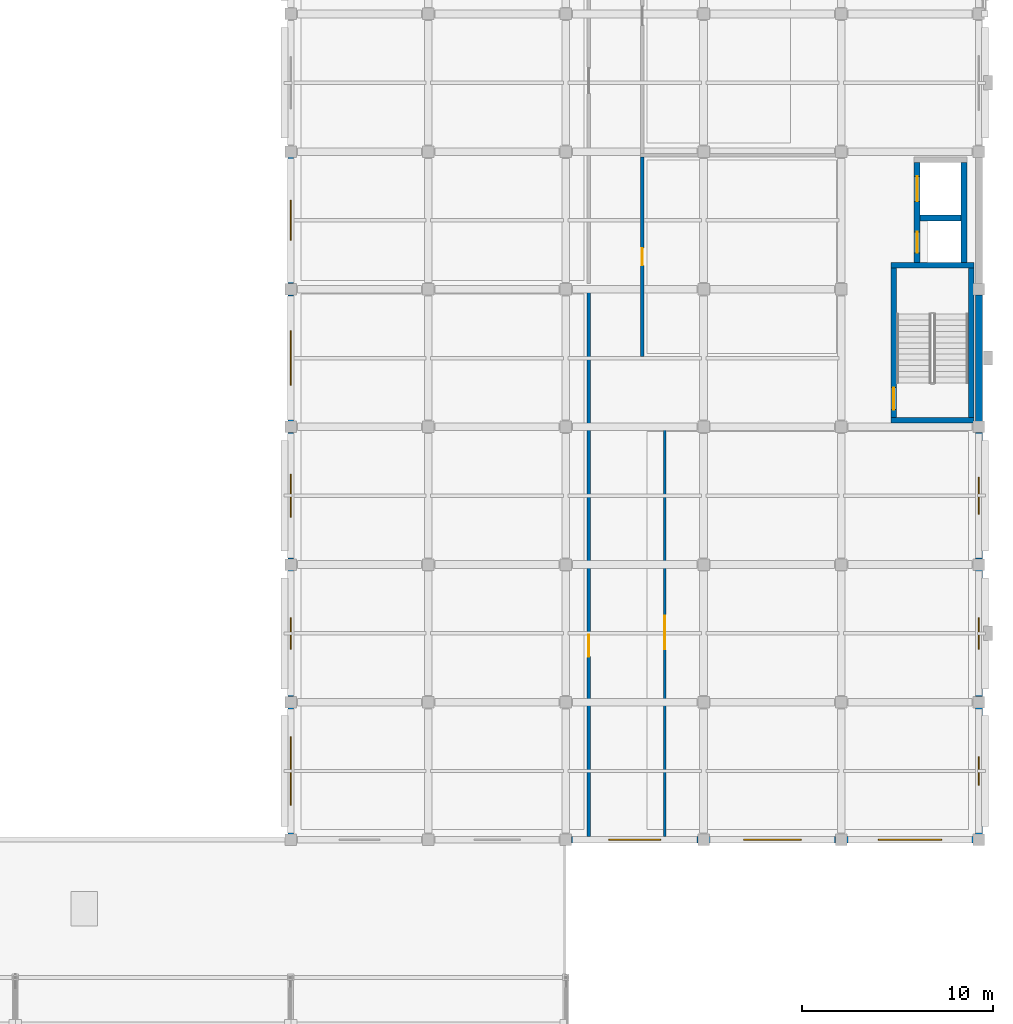
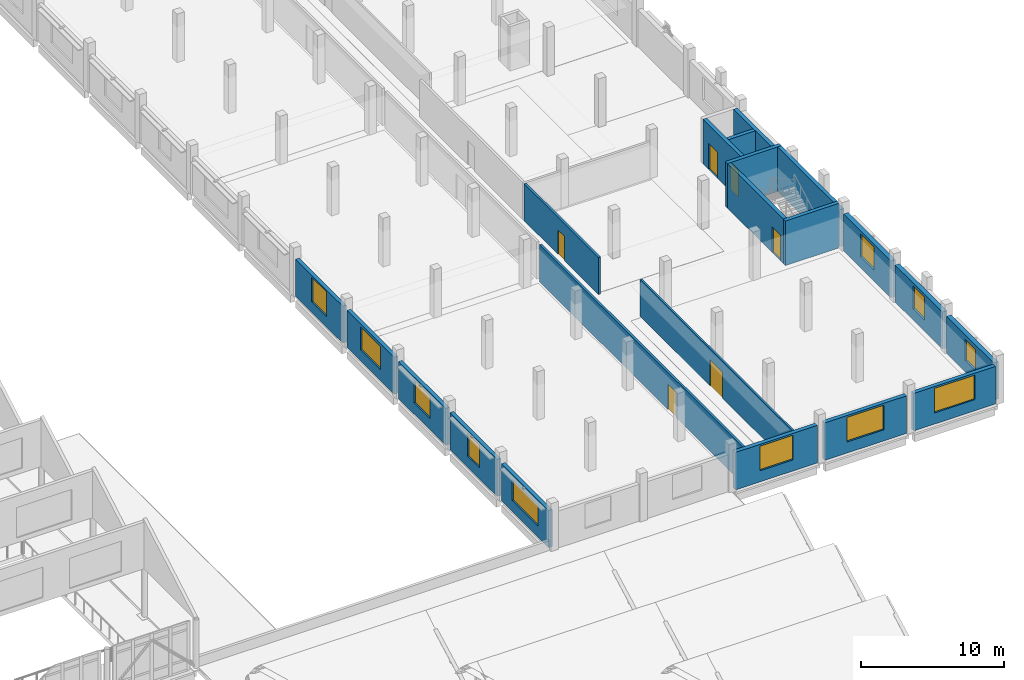
# One storey, part 47 of 62: 22 walls, 11 windows, 6 doors, 17 openings.
"""IFC4 building model written with IfcOpenShell, lengths in metres."""

from ifc_helpers import new_model, si_unit, direction, frame, frame_2d, origin, place, context, subcontext, project, spatial, rectangle, extrude, material, layer, layer_set, type_object, element, fill, save


model = new_model("IFC4")

# Units and contexts
model_context = context("Model", 3, precision=1e-05, world=origin(), true_north=direction((0.0, 1.0)))
body_context = subcontext(model_context, "Body", "Model", "MODEL_VIEW")
ifc_project = project(units=[si_unit("LENGTHUNIT", "METRE"), si_unit("AREAUNIT", "SQUARE_METRE"), si_unit("VOLUMEUNIT", "CUBIC_METRE"), si_unit("PLANEANGLEUNIT", "RADIAN"), si_unit("MASSUNIT", "GRAM", prefix="KILO")], contexts=[model_context])

# Site, building, storey
site_placement = place(None, origin())
site = spatial("IfcSite", under=ifc_project, at=site_placement, CompositionType="ELEMENT")
building_placement = place(site_placement, origin())
building = spatial("IfcBuilding", under=site, at=building_placement, Name="Valkovuoma Quantum and Materials Research Institute", CompositionType="ELEMENT")
storey_placement = place(building_placement, frame((0.0, 0.0, 13.1201171875)))
storey = spatial("IfcBuildingStorey", under=building, at=storey_placement, Name="L03", CompositionType="ELEMENT", Elevation=13.1201171875)

# Walls
ifc_material_1 = material(Name="Concrete C40/50", Category="concrete")
ifc_layer_1 = layer(ifc_material_1, 0.300048828125)
ifc_layer_set_1 = layer_set([ifc_layer_1], Name="Concrete C40/50")
wall_type_1 = type_object("IfcWallType", Name="Wall-W-COR300", PredefinedType="SHEAR", material=ifc_layer_set_1)
for number, where, z_axis, x_axis, name in (
    (1, (161.0, 57.949951171875, 0.0), (0.0, 0.0, 1.0), (1.0, 0.0, 0.0), "L03 core wall 0231"),
    (2, (161.0, 66.050048828125, 0.0), (0.0, 0.0, 1.0), (1.0, 0.0, 0.0), "L03 core wall 0232"),
):
    element("IfcWall", number, at=place(storey_placement, frame(where, z_axis=z_axis, x_axis=x_axis)), inside=storey, type_object=wall_type_1, Name=name, PredefinedType="SHEAR", context=body_context, shape_type="SweptSolid", body=[
        extrude(rectangle(XDim=4.35009765625, YDim=0.300048828125, at=frame_2d((2.175048828125, 0.0))), origin(), (0.0, 0.0, 1.0), 3.809814453125),
    ])

# Wall, opening, door
wall_1_placement = place(storey_placement, frame((161.14990234375, 58.10009765625, 0.0), z_axis=(0.0, 0.0, 1.0), x_axis=(0.0, 1.0, 0.0)))
wall_1 = element("IfcWall", 3, at=wall_1_placement, inside=storey, type_object=wall_type_1, Name="L03 core wall 0233", PredefinedType="SHEAR", context=body_context, shape_type="SweptSolid", body=[
    extrude(rectangle(XDim=7.7998046875, YDim=0.300048828125, at=frame_2d((3.89990234375, 0.0))), origin(), (0.0, 0.0, 1.0), 3.809814453125),
])
opening_1_placement = place(wall_1_placement, frame((0.39990234375, 0.0, 0.0)))
opening_1 = element("IfcOpeningElement", 4, at=opening_1_placement, cuts=wall_1, Name="Opening SD-038", PredefinedType="OPENING", context=body_context, shape_type="SweptSolid", body=[
    extrude(rectangle(XDim=1.14990234375, YDim=2.199951171875, at=frame_2d((0.574951171875, 1.10009765625))), frame((0.0, 0.16015625, 0.0), z_axis=(0.0, -1.0, 0.0), x_axis=(1.0, 0.0, 0.0)), (0.0, 0.0, 1.0), 0.320068359375),
])
ifc_material_2 = material(Name="Powder-coated steel and acoustic timber door assembly", Category="steel")
door_type_1 = type_object("IfcDoorType", Name="Door-DR-ST60", OperationType="NOTDEFINED", PredefinedType="DOOR", material=ifc_material_2)
door_1_placement = place(opening_1_placement, frame((1.14990234375, 0.0, 0.0), z_axis=(0.0, 0.0, 1.0), x_axis=(-1.0, 0.0, 0.0)))
door_1 = element("IfcDoor", 5, at=door_1_placement, inside=storey, type_object=door_type_1, Name="L03 ST-3 fire door", OperationType="SINGLE_SWING_LEFT", OverallHeight=2.199951171875, OverallWidth=1.14990234375, PredefinedType="DOOR", context=body_context, shape_type="SweptSolid", body=[
    extrude(rectangle(XDim=1.14990234375, YDim=2.199951171875, at=frame_2d((0.574951171875, 1.10009765625))), frame((0.0, 0.02490234375, 0.0), z_axis=(0.0, -1.0, 0.0), x_axis=(1.0, 0.0, 0.0)), (0.0, 0.0, 1.0), 0.050048828125),
])
fill(opening_1, door_1)

# Walls
wall_2_placement = place(storey_placement, frame((165.199951171875, 58.10009765625, 0.0), z_axis=(0.0, 0.0, 1.0), x_axis=(0.0, 1.0, 0.0)))
element("IfcWall", 6, at=wall_2_placement, inside=storey, type_object=wall_type_1, Name="L03 core wall 0234", PredefinedType="SHEAR", context=body_context, shape_type="SweptSolid", body=[
    extrude(rectangle(XDim=7.7998046875, YDim=0.300048828125, at=frame_2d((3.89990234375, 0.0))), origin(), (0.0, 0.0, 1.0), 3.809814453125),
])
wall_3_placement = place(storey_placement, frame((162.52001953125, 68.52490234375, 0.0), z_axis=(0.0, 0.0, 1.0), x_axis=(1.0, 0.0, 0.0)))
element("IfcWall", 7, at=wall_3_placement, inside=storey, type_object=wall_type_1, Name="L03 core wall 0236", PredefinedType="SHEAR", context=body_context, shape_type="SweptSolid", body=[
    extrude(rectangle(XDim=2.159912109375, YDim=0.300048828125, at=frame_2d((1.080078125, 0.0))), origin(), (0.0, 0.0, 1.0), 3.809814453125),
])

# Wall, openings, doors
wall_4_placement = place(storey_placement, frame((162.3701171875, 66.199951171875, 0.0), z_axis=(0.0, 0.0, 1.0), x_axis=(0.0, 1.0, 0.0)))
wall_4 = element("IfcWall", 8, at=wall_4_placement, inside=storey, type_object=wall_type_1, Name="L03 core wall 0237", PredefinedType="SHEAR", context=body_context, shape_type="SweptSolid", body=[
    extrude(rectangle(XDim=5.22998046875, YDim=0.300048828125, at=frame_2d((2.614990234375, 0.0))), origin(), (0.0, 0.0, 1.0), 3.809814453125),
])
opening_2_placement = place(wall_4_placement, frame((0.5, 0.0, 0.0)))
opening_2 = element("IfcOpeningElement", 9, at=opening_2_placement, cuts=wall_4, Name="Opening LD-042", PredefinedType="OPENING", context=body_context, shape_type="SweptSolid", body=[
    extrude(rectangle(XDim=1.10009765625, YDim=2.199951171875, at=frame_2d((0.550048828125, 1.10009765625))), frame((0.0, 0.16015625, 0.0), z_axis=(0.0, -1.0, 0.0), x_axis=(1.0, 0.0, 0.0)), (0.0, 0.0, 1.0), 0.320068359375),
])
opening_3_placement = place(wall_4_placement, frame((3.199951171875, 0.0, 0.0)))
opening_3 = element("IfcOpeningElement", 10, at=opening_3_placement, cuts=wall_4, Name="Opening LD-043", PredefinedType="OPENING", context=body_context, shape_type="SweptSolid", body=[
    extrude(rectangle(XDim=1.300048828125, YDim=2.199951171875, at=frame_2d((0.64990234375, 1.10009765625))), frame((0.0, 0.16015625, 0.0), z_axis=(0.0, -1.0, 0.0), x_axis=(1.0, 0.0, 0.0)), (0.0, 0.0, 1.0), 0.320068359375),
])
ifc_material_3 = material(Name="Powder-coated steel and acoustic timber door assembly", Category="steel")
door_type_2 = type_object("IfcDoorType", Name="Door-DR-LD01", OperationType="NOTDEFINED", PredefinedType="DOOR", material=ifc_material_3)
door_2_placement = place(opening_2_placement, origin())
door_2 = element("IfcDoor", 11, at=door_2_placement, inside=storey, type_object=door_type_2, Name="L03 LIFT-P3 sliding landing door", OperationType="SLIDING_TO_LEFT", OverallHeight=2.199951171875, OverallWidth=1.10009765625, PredefinedType="DOOR", context=body_context, shape_type="SweptSolid", body=[
    extrude(rectangle(XDim=1.10009765625, YDim=2.199951171875, at=frame_2d((0.550048828125, 1.10009765625))), frame((0.0, 0.02490234375, 0.0), z_axis=(0.0, -1.0, 0.0), x_axis=(1.0, 0.0, 0.0)), (0.0, 0.0, 1.0), 0.050048828125),
])
fill(opening_2, door_2)
ifc_material_4 = material(Name="Powder-coated steel and acoustic timber door assembly", Category="steel")
door_type_3 = type_object("IfcDoorType", Name="Door-DR-LD02", OperationType="NOTDEFINED", PredefinedType="DOOR", material=ifc_material_4)
door_3_placement = place(opening_3_placement, origin())
door_3 = element("IfcDoor", 12, at=door_3_placement, inside=storey, type_object=door_type_3, Name="L03 LIFT-G1 sliding landing door", OperationType="SLIDING_TO_LEFT", OverallHeight=2.199951171875, OverallWidth=1.300048828125, PredefinedType="DOOR", context=body_context, shape_type="SweptSolid", body=[
    extrude(rectangle(XDim=1.300048828125, YDim=2.199951171875, at=frame_2d((0.64990234375, 1.10009765625))), frame((0.0, 0.02490234375, 0.0), z_axis=(0.0, -1.0, 0.0), x_axis=(1.0, 0.0, 0.0)), (0.0, 0.0, 1.0), 0.050048828125),
])
fill(opening_3, door_3)

# Wall
wall_5_placement = place(storey_placement, frame((164.830078125, 66.199951171875, 0.0), z_axis=(0.0, 0.0, 1.0), x_axis=(0.0, 1.0, 0.0)))
element("IfcWall", 13, at=wall_5_placement, inside=storey, type_object=wall_type_1, Name="L03 core wall 0238", PredefinedType="SHEAR", context=body_context, shape_type="SweptSolid", body=[
    extrude(rectangle(XDim=5.22998046875, YDim=0.300048828125, at=frame_2d((2.614990234375, 0.0))), origin(), (0.0, 0.0, 1.0), 3.809814453125),
])

# Wall, opening, window
ifc_material_5 = material(Name="Precast concrete C40/50", Category="concrete")
ifc_layer_2 = layer(ifc_material_5, 0.300048828125)
ifc_layer_set_2 = layer_set([ifc_layer_2], Name="Precast concrete C40/50")
wall_type_2 = type_object("IfcWallType", Name="Wall-W-EXT300", PredefinedType="SOLIDWALL", material=ifc_layer_set_2)
wall_6_placement = place(storey_placement, frame((129.60009765625, 36.2900390625, 0.0), z_axis=(0.0, 0.0, 1.0), x_axis=(0.0, 1.0, 0.0)))
wall_6 = element("IfcWall", 14, at=wall_6_placement, inside=storey, type_object=wall_type_2, Name="L03 exterior wall 0285", PredefinedType="SOLIDWALL", context=body_context, shape_type="SweptSolid", body=[
    extrude(rectangle(XDim=6.619873046875, YDim=0.300048828125, at=frame_2d((3.31005859375, 0.0))), origin(), (0.0, 0.0, 1.0), 3.159912109375),
])
opening_4_placement = place(wall_6_placement, frame((1.510009765625, 0.0, 0.949951171875)))
opening_4 = element("IfcOpeningElement", 15, at=opening_4_placement, cuts=wall_6, Name="Opening WN-WL14", PredefinedType="OPENING", context=body_context, shape_type="SweptSolid", body=[
    extrude(rectangle(XDim=3.60009765625, YDim=1.800048828125, at=frame_2d((1.800048828125, 0.89990234375))), frame((0.0, 0.16015625, 0.0), z_axis=(0.0, -1.0, 0.0), x_axis=(1.0, 0.0, 0.0)), (0.0, 0.0, 1.0), 0.320068359375),
])
ifc_material_6 = material(Name="Triple low-E argon glazing in thermally broken aluminium frame", Category="aluminium")
window_type_1 = type_object("IfcWindowType", Name="Win-WN-WL14", PartitioningType="SINGLE_PANEL", PredefinedType="WINDOW", material=ifc_material_6)
window_1_placement = place(opening_4_placement, origin())
window_1 = element("IfcWindow", 16, at=window_1_placement, inside=storey, type_object=window_type_1, Name="L03 window 0296", OverallHeight=1.800048828125, OverallWidth=3.60009765625, PartitioningType="SINGLE_PANEL", PredefinedType="WINDOW", context=body_context, shape_type="SweptSolid", body=[
    extrude(rectangle(XDim=3.60009765625, YDim=1.800048828125, at=frame_2d((1.800048828125, 0.89990234375))), frame((0.0, 0.030029296875, 0.0), z_axis=(0.0, -1.0, 0.0), x_axis=(1.0, 0.0, 0.0)), (0.0, 0.0, 1.0), 0.06005859375),
])
fill(opening_4, window_1)

wall_7_placement = place(storey_placement, frame((129.60009765625, 43.489990234375, 0.0), z_axis=(0.0, 0.0, 1.0), x_axis=(0.0, 1.0, 0.0)))
wall_7 = element("IfcWall", 17, at=wall_7_placement, inside=storey, type_object=wall_type_2, Name="L03 exterior wall 0286", PredefinedType="SOLIDWALL", context=body_context, shape_type="SweptSolid", body=[
    extrude(rectangle(XDim=6.6201171875, YDim=0.300048828125, at=frame_2d((3.31005859375, 0.0))), origin(), (0.0, 0.0, 1.0), 3.159912109375),
])
opening_5_placement = place(wall_7_placement, frame((2.485107421875, 0.0, 0.949951171875)))
opening_5 = element("IfcOpeningElement", 18, at=opening_5_placement, cuts=wall_7, Name="Opening WN-WL16", PredefinedType="OPENING", context=body_context, shape_type="SweptSolid", body=[
    extrude(rectangle(XDim=1.64990234375, YDim=1.949951171875, at=frame_2d((0.824951171875, 0.97509765625))), frame((0.0, 0.16015625, 0.0), z_axis=(0.0, -1.0, 0.0), x_axis=(1.0, 0.0, 0.0)), (0.0, 0.0, 1.0), 0.320068359375),
])
ifc_material_7 = material(Name="Triple low-E argon glazing in thermally broken aluminium frame", Category="aluminium")
window_type_2 = type_object("IfcWindowType", Name="Win-WN-WL16", PartitioningType="SINGLE_PANEL", PredefinedType="WINDOW", material=ifc_material_7)
window_2_placement = place(opening_5_placement, origin())
window_2 = element("IfcWindow", 19, at=window_2_placement, inside=storey, type_object=window_type_2, Name="L03 window 0297", OverallHeight=1.949951171875, OverallWidth=1.64990234375, PartitioningType="SINGLE_PANEL", PredefinedType="WINDOW", context=body_context, shape_type="SweptSolid", body=[
    extrude(rectangle(XDim=1.64990234375, YDim=1.949951171875, at=frame_2d((0.824951171875, 0.97509765625))), frame((0.0, 0.030029296875, 0.0), z_axis=(0.0, -1.0, 0.0), x_axis=(1.0, 0.0, 0.0)), (0.0, 0.0, 1.0), 0.06005859375),
])
fill(opening_5, window_2)

wall_8_placement = place(storey_placement, frame((129.60009765625, 50.68994140625, 0.0), z_axis=(0.0, 0.0, 1.0), x_axis=(0.0, 1.0, 0.0)))
wall_8 = element("IfcWall", 20, at=wall_8_placement, inside=storey, type_object=wall_type_2, Name="L03 exterior wall 0287", PredefinedType="SOLIDWALL", context=body_context, shape_type="SweptSolid", body=[
    extrude(rectangle(XDim=6.6201171875, YDim=0.300048828125, at=frame_2d((3.31005859375, 0.0))), origin(), (0.0, 0.0, 1.0), 3.159912109375),
])
opening_6_placement = place(wall_8_placement, frame((2.18505859375, 0.0, 0.949951171875)))
opening_6 = element("IfcOpeningElement", 21, at=opening_6_placement, cuts=wall_8, Name="Opening WN-WL18", PredefinedType="OPENING", context=body_context, shape_type="SweptSolid", body=[
    extrude(rectangle(XDim=2.25, YDim=1.949951171875, at=frame_2d((1.125, 0.97509765625))), frame((0.0, 0.16015625, 0.0), z_axis=(0.0, -1.0, 0.0), x_axis=(1.0, 0.0, 0.0)), (0.0, 0.0, 1.0), 0.320068359375),
])
ifc_material_8 = material(Name="Triple low-E argon glazing in thermally broken aluminium frame", Category="aluminium")
window_type_3 = type_object("IfcWindowType", Name="Win-WN-WL18", PartitioningType="SINGLE_PANEL", PredefinedType="WINDOW", material=ifc_material_8)
window_3_placement = place(opening_6_placement, origin())
window_3 = element("IfcWindow", 22, at=window_3_placement, inside=storey, type_object=window_type_3, Name="L03 window 0298", OverallHeight=1.949951171875, OverallWidth=2.25, PartitioningType="SINGLE_PANEL", PredefinedType="WINDOW", context=body_context, shape_type="SweptSolid", body=[
    extrude(rectangle(XDim=2.25, YDim=1.949951171875, at=frame_2d((1.125, 0.97509765625))), frame((0.0, 0.030029296875, 0.0), z_axis=(0.0, -1.0, 0.0), x_axis=(1.0, 0.0, 0.0)), (0.0, 0.0, 1.0), 0.06005859375),
])
fill(opening_6, window_3)

wall_9_placement = place(storey_placement, frame((129.60009765625, 57.889892578125, 0.0), z_axis=(0.0, 0.0, 1.0), x_axis=(0.0, 1.0, 0.0)))
wall_9 = element("IfcWall", 23, at=wall_9_placement, inside=storey, type_object=wall_type_2, Name="L03 exterior wall 0288", PredefinedType="SOLIDWALL", context=body_context, shape_type="SweptSolid", body=[
    extrude(rectangle(XDim=6.6201171875, YDim=0.300048828125, at=frame_2d((3.31005859375, 0.0))), origin(), (0.0, 0.0, 1.0), 3.159912109375),
])
opening_7_placement = place(wall_9_placement, frame((1.885009765625, 0.0, 0.949951171875)))
opening_7 = element("IfcOpeningElement", 24, at=opening_7_placement, cuts=wall_9, Name="Opening WN-WL20", PredefinedType="OPENING", context=body_context, shape_type="SweptSolid", body=[
    extrude(rectangle(XDim=2.85009765625, YDim=1.949951171875, at=frame_2d((1.425048828125, 0.97509765625))), frame((0.0, 0.16015625, 0.0), z_axis=(0.0, -1.0, 0.0), x_axis=(1.0, 0.0, 0.0)), (0.0, 0.0, 1.0), 0.320068359375),
])
ifc_material_9 = material(Name="Triple low-E argon glazing in thermally broken aluminium frame", Category="aluminium")
window_type_4 = type_object("IfcWindowType", Name="Win-WN-WL20", PartitioningType="SINGLE_PANEL", PredefinedType="WINDOW", material=ifc_material_9)
window_4_placement = place(opening_7_placement, origin())
window_4 = element("IfcWindow", 25, at=window_4_placement, inside=storey, type_object=window_type_4, Name="L03 window 0299", OverallHeight=1.949951171875, OverallWidth=2.85009765625, PartitioningType="SINGLE_PANEL", PredefinedType="WINDOW", context=body_context, shape_type="SweptSolid", body=[
    extrude(rectangle(XDim=2.85009765625, YDim=1.949951171875, at=frame_2d((1.425048828125, 0.97509765625))), frame((0.0, 0.030029296875, 0.0), z_axis=(0.0, -1.0, 0.0), x_axis=(1.0, 0.0, 0.0)), (0.0, 0.0, 1.0), 0.06005859375),
])
fill(opening_7, window_4)

wall_10_placement = place(storey_placement, frame((129.60009765625, 65.090087890625, 0.0), z_axis=(0.0, 0.0, 1.0), x_axis=(0.0, 1.0, 0.0)))
wall_10 = element("IfcWall", 26, at=wall_10_placement, inside=storey, type_object=wall_type_2, Name="L03 exterior wall 0289", PredefinedType="SOLIDWALL", context=body_context, shape_type="SweptSolid", body=[
    extrude(rectangle(XDim=6.619873046875, YDim=0.300048828125, at=frame_2d((3.31005859375, 0.0))), origin(), (0.0, 0.0, 1.0), 3.159912109375),
])
opening_8_placement = place(wall_10_placement, frame((2.260009765625, 0.0, 0.89990234375)))
opening_8 = element("IfcOpeningElement", 27, at=opening_8_placement, cuts=wall_10, Name="Opening WN-WL02", PredefinedType="OPENING", context=body_context, shape_type="SweptSolid", body=[
    extrude(rectangle(XDim=2.10009765625, YDim=2.10009765625, at=frame_2d((1.050048828125, 1.050048828125))), frame((0.0, 0.16015625, 0.0), z_axis=(0.0, -1.0, 0.0), x_axis=(1.0, 0.0, 0.0)), (0.0, 0.0, 1.0), 0.320068359375),
])
ifc_material_10 = material(Name="Triple low-E argon glazing in thermally broken aluminium frame", Category="aluminium")
window_type_5 = type_object("IfcWindowType", Name="Win-WN-WL02", PartitioningType="SINGLE_PANEL", PredefinedType="WINDOW", material=ifc_material_10)
window_5_placement = place(opening_8_placement, origin())
window_5 = element("IfcWindow", 28, at=window_5_placement, inside=storey, type_object=window_type_5, Name="L03 window 0300", OverallHeight=2.10009765625, OverallWidth=2.10009765625, PartitioningType="SINGLE_PANEL", PredefinedType="WINDOW", context=body_context, shape_type="SweptSolid", body=[
    extrude(rectangle(XDim=2.10009765625, YDim=2.10009765625, at=frame_2d((1.050048828125, 1.050048828125))), frame((0.0, 0.030029296875, 0.0), z_axis=(0.0, -1.0, 0.0), x_axis=(1.0, 0.0, 0.0)), (0.0, 0.0, 1.0), 0.06005859375),
])
fill(opening_8, window_5)

ifc_material_11 = material(Name="Precast concrete C40/50", Category="concrete")
ifc_layer_3 = layer(ifc_material_11, 0.320068359375)
ifc_layer_set_3 = layer_set([ifc_layer_3], Name="Precast concrete C40/50")
wall_type_3 = type_object("IfcWallType", Name="Wall-W-EXT320", PredefinedType="SOLIDWALL", material=ifc_layer_set_3)
wall_11_placement = place(storey_placement, frame((144.2900390625, 36.0, 0.0), z_axis=(0.0, 0.0, 1.0), x_axis=(1.0, 0.0, 0.0)))
wall_11 = element("IfcWall", 29, at=wall_11_placement, inside=storey, type_object=wall_type_3, Name="L03 exterior wall 0298", PredefinedType="SOLIDWALL", context=body_context, shape_type="SweptSolid", body=[
    extrude(rectangle(XDim=6.619873046875, YDim=0.320068359375, at=frame_2d((3.31005859375, 0.0))), origin(), (0.0, 0.0, 1.0), 3.2099609375),
])
opening_9_placement = place(wall_11_placement, frame((1.9599609375, 0.0, 0.949951171875)))
opening_9 = element("IfcOpeningElement", 30, at=opening_9_placement, cuts=wall_11, Name="Opening WN-WL04", PredefinedType="OPENING", context=body_context, shape_type="SweptSolid", body=[
    extrude(rectangle(XDim=2.699951171875, YDim=2.10009765625, at=frame_2d((1.35009765625, 1.050048828125))), frame((0.0, 0.169921875, 0.0), z_axis=(0.0, -1.0, 0.0), x_axis=(1.0, 0.0, 0.0)), (0.0, 0.0, 1.0), 0.340087890625),
])
ifc_material_12 = material(Name="Triple low-E argon glazing in thermally broken aluminium frame", Category="aluminium")
window_type_6 = type_object("IfcWindowType", Name="Win-WN-WL04", PartitioningType="SINGLE_PANEL", PredefinedType="WINDOW", material=ifc_material_12)
window_6_placement = place(opening_9_placement, origin())
window_6 = element("IfcWindow", 31, at=window_6_placement, inside=storey, type_object=window_type_6, Name="L03 window 0309", OverallHeight=2.10009765625, OverallWidth=2.699951171875, PartitioningType="SINGLE_PANEL", PredefinedType="WINDOW", context=body_context, shape_type="SweptSolid", body=[
    extrude(rectangle(XDim=2.699951171875, YDim=2.10009765625, at=frame_2d((1.35009765625, 1.050048828125))), frame((0.0, 0.030029296875, 0.0), z_axis=(0.0, -1.0, 0.0), x_axis=(1.0, 0.0, 0.0)), (0.0, 0.0, 1.0), 0.06005859375),
])
fill(opening_9, window_6)

wall_12_placement = place(storey_placement, frame((151.489990234375, 36.0, 0.0), z_axis=(0.0, 0.0, 1.0), x_axis=(1.0, 0.0, 0.0)))
wall_12 = element("IfcWall", 32, at=wall_12_placement, inside=storey, type_object=wall_type_3, Name="L03 exterior wall 0299", PredefinedType="SOLIDWALL", context=body_context, shape_type="SweptSolid", body=[
    extrude(rectangle(XDim=6.6201171875, YDim=0.320068359375, at=frame_2d((3.31005859375, 0.0))), origin(), (0.0, 0.0, 1.0), 3.2099609375),
])
opening_10_placement = place(wall_12_placement, frame((1.81005859375, 0.0, 0.949951171875)))
opening_10 = element("IfcOpeningElement", 33, at=opening_10_placement, cuts=wall_12, Name="Opening WN-WL05", PredefinedType="OPENING", context=body_context, shape_type="SweptSolid", body=[
    extrude(rectangle(XDim=3.0, YDim=2.10009765625, at=frame_2d((1.5, 1.050048828125))), frame((0.0, 0.169921875, 0.0), z_axis=(0.0, -1.0, 0.0), x_axis=(1.0, 0.0, 0.0)), (0.0, 0.0, 1.0), 0.340087890625),
])
ifc_material_13 = material(Name="Triple low-E argon glazing in thermally broken aluminium frame", Category="aluminium")
window_type_7 = type_object("IfcWindowType", Name="Win-WN-WL05", PartitioningType="SINGLE_PANEL", PredefinedType="WINDOW", material=ifc_material_13)
window_7_placement = place(opening_10_placement, origin())
window_7 = element("IfcWindow", 34, at=window_7_placement, inside=storey, type_object=window_type_7, Name="L03 window 0310", OverallHeight=2.10009765625, OverallWidth=3.0, PartitioningType="SINGLE_PANEL", PredefinedType="WINDOW", context=body_context, shape_type="SweptSolid", body=[
    extrude(rectangle(XDim=3.0, YDim=2.10009765625, at=frame_2d((1.5, 1.050048828125))), frame((0.0, 0.030029296875, 0.0), z_axis=(0.0, -1.0, 0.0), x_axis=(1.0, 0.0, 0.0)), (0.0, 0.0, 1.0), 0.06005859375),
])
fill(opening_10, window_7)

wall_13_placement = place(storey_placement, frame((158.68994140625, 36.0, 0.0), z_axis=(0.0, 0.0, 1.0), x_axis=(1.0, 0.0, 0.0)))
wall_13 = element("IfcWall", 35, at=wall_13_placement, inside=storey, type_object=wall_type_3, Name="L03 exterior wall 0300", PredefinedType="SOLIDWALL", context=body_context, shape_type="SweptSolid", body=[
    extrude(rectangle(XDim=6.6201171875, YDim=0.320068359375, at=frame_2d((3.31005859375, 0.0))), origin(), (0.0, 0.0, 1.0), 3.2099609375),
])
opening_11_placement = place(wall_13_placement, frame((1.659912109375, 0.0, 0.949951171875)))
opening_11 = element("IfcOpeningElement", 36, at=opening_11_placement, cuts=wall_13, Name="Opening WN-WL06", PredefinedType="OPENING", context=body_context, shape_type="SweptSolid", body=[
    extrude(rectangle(XDim=3.300048828125, YDim=2.10009765625, at=frame_2d((1.64990234375, 1.050048828125))), frame((0.0, 0.169921875, 0.0), z_axis=(0.0, -1.0, 0.0), x_axis=(1.0, 0.0, 0.0)), (0.0, 0.0, 1.0), 0.340087890625),
])
ifc_material_14 = material(Name="Triple low-E argon glazing in thermally broken aluminium frame", Category="aluminium")
window_type_8 = type_object("IfcWindowType", Name="Win-WN-WL06", PartitioningType="SINGLE_PANEL", PredefinedType="WINDOW", material=ifc_material_14)
window_8_placement = place(opening_11_placement, origin())
window_8 = element("IfcWindow", 37, at=window_8_placement, inside=storey, type_object=window_type_8, Name="L03 window 0311", OverallHeight=2.10009765625, OverallWidth=3.300048828125, PartitioningType="SINGLE_PANEL", PredefinedType="WINDOW", context=body_context, shape_type="SweptSolid", body=[
    extrude(rectangle(XDim=3.300048828125, YDim=2.10009765625, at=frame_2d((1.64990234375, 1.050048828125))), frame((0.0, 0.030029296875, 0.0), z_axis=(0.0, -1.0, 0.0), x_axis=(1.0, 0.0, 0.0)), (0.0, 0.0, 1.0), 0.06005859375),
])
fill(opening_11, window_8)

ifc_material_15 = material(Name="Precast concrete C40/50", Category="concrete")
ifc_layer_4 = layer(ifc_material_15, 0.360107421875)
ifc_layer_set_4 = layer_set([ifc_layer_4], Name="Precast concrete C40/50")
wall_type_4 = type_object("IfcWallType", Name="Wall-W-EXT360", PredefinedType="SOLIDWALL", material=ifc_layer_set_4)
wall_14_placement = place(storey_placement, frame((165.60009765625, 36.2900390625, 0.0), z_axis=(0.0, 0.0, 1.0), x_axis=(0.0, 1.0, 0.0)))
wall_14 = element("IfcWall", 38, at=wall_14_placement, inside=storey, type_object=wall_type_4, Name="L03 exterior wall 0269", PredefinedType="SOLIDWALL", context=body_context, shape_type="SweptSolid", body=[
    extrude(rectangle(XDim=6.619873046875, YDim=0.360107421875, at=frame_2d((3.31005859375, 0.0))), origin(), (0.0, 0.0, 1.0), 3.159912109375),
])
opening_12_placement = place(wall_14_placement, frame((2.56005859375, 0.0, 0.949951171875)))
opening_12 = element("IfcOpeningElement", 39, at=opening_12_placement, cuts=wall_14, Name="Opening WN-WL15", PredefinedType="OPENING", context=body_context, shape_type="SweptSolid", body=[
    extrude(rectangle(XDim=1.5, YDim=1.800048828125, at=frame_2d((0.75, 0.89990234375))), frame((0.0, 0.18994140625, 0.0), z_axis=(0.0, -1.0, 0.0), x_axis=(1.0, 0.0, 0.0)), (0.0, 0.0, 1.0), 0.380126953125),
])
ifc_material_16 = material(Name="Triple low-E argon glazing in thermally broken aluminium frame", Category="aluminium")
window_type_9 = type_object("IfcWindowType", Name="Win-WN-WL15", PartitioningType="SINGLE_PANEL", PredefinedType="WINDOW", material=ifc_material_16)
window_9_placement = place(opening_12_placement, origin())
window_9 = element("IfcWindow", 40, at=window_9_placement, inside=storey, type_object=window_type_9, Name="L03 window 0285", OverallHeight=1.800048828125, OverallWidth=1.5, PartitioningType="SINGLE_PANEL", PredefinedType="WINDOW", context=body_context, shape_type="SweptSolid", body=[
    extrude(rectangle(XDim=1.5, YDim=1.800048828125, at=frame_2d((0.75, 0.89990234375))), frame((0.0, 0.030029296875, 0.0), z_axis=(0.0, -1.0, 0.0), x_axis=(1.0, 0.0, 0.0)), (0.0, 0.0, 1.0), 0.06005859375),
])
fill(opening_12, window_9)

wall_15_placement = place(storey_placement, frame((165.60009765625, 43.489990234375, 0.0), z_axis=(0.0, 0.0, 1.0), x_axis=(0.0, 1.0, 0.0)))
wall_15 = element("IfcWall", 41, at=wall_15_placement, inside=storey, type_object=wall_type_4, Name="L03 exterior wall 0270", PredefinedType="SOLIDWALL", context=body_context, shape_type="SweptSolid", body=[
    extrude(rectangle(XDim=6.6201171875, YDim=0.360107421875, at=frame_2d((3.31005859375, 0.0))), origin(), (0.0, 0.0, 1.0), 3.159912109375),
])
opening_13_placement = place(wall_15_placement, frame((2.485107421875, 0.0, 0.949951171875)))
opening_13 = element("IfcOpeningElement", 42, at=opening_13_placement, cuts=wall_15, Name="Opening WN-WL16", PredefinedType="OPENING", context=body_context, shape_type="SweptSolid", body=[
    extrude(rectangle(XDim=1.64990234375, YDim=1.949951171875, at=frame_2d((0.824951171875, 0.97509765625))), frame((0.0, 0.18994140625, 0.0), z_axis=(0.0, -1.0, 0.0), x_axis=(1.0, 0.0, 0.0)), (0.0, 0.0, 1.0), 0.380126953125),
])
window_10_placement = place(opening_13_placement, origin())
window_10 = element("IfcWindow", 43, at=window_10_placement, inside=storey, type_object=window_type_2, Name="L03 window 0286", OverallHeight=1.949951171875, OverallWidth=1.64990234375, PartitioningType="SINGLE_PANEL", PredefinedType="WINDOW", context=body_context, shape_type="SweptSolid", body=[
    extrude(rectangle(XDim=1.64990234375, YDim=1.949951171875, at=frame_2d((0.824951171875, 0.97509765625))), frame((0.0, 0.030029296875, 0.0), z_axis=(0.0, -1.0, 0.0), x_axis=(1.0, 0.0, 0.0)), (0.0, 0.0, 1.0), 0.06005859375),
])
fill(opening_13, window_10)

wall_16_placement = place(storey_placement, frame((165.60009765625, 50.68994140625, 0.0), z_axis=(0.0, 0.0, 1.0), x_axis=(0.0, 1.0, 0.0)))
wall_16 = element("IfcWall", 44, at=wall_16_placement, inside=storey, type_object=wall_type_4, Name="L03 exterior wall 0271", PredefinedType="SOLIDWALL", context=body_context, shape_type="SweptSolid", body=[
    extrude(rectangle(XDim=6.6201171875, YDim=0.360107421875, at=frame_2d((3.31005859375, 0.0))), origin(), (0.0, 0.0, 1.0), 3.159912109375),
])
opening_14_placement = place(wall_16_placement, frame((2.3349609375, 0.0, 0.949951171875)))
opening_14 = element("IfcOpeningElement", 45, at=opening_14_placement, cuts=wall_16, Name="Opening WN-WL17", PredefinedType="OPENING", context=body_context, shape_type="SweptSolid", body=[
    extrude(rectangle(XDim=1.949951171875, YDim=1.949951171875, at=frame_2d((0.97509765625, 0.97509765625))), frame((0.0, 0.18994140625, 0.0), z_axis=(0.0, -1.0, 0.0), x_axis=(1.0, 0.0, 0.0)), (0.0, 0.0, 1.0), 0.380126953125),
])
ifc_material_17 = material(Name="Triple low-E argon glazing in thermally broken aluminium frame", Category="aluminium")
window_type_10 = type_object("IfcWindowType", Name="Win-WN-WL17", PartitioningType="SINGLE_PANEL", PredefinedType="WINDOW", material=ifc_material_17)
window_11_placement = place(opening_14_placement, origin())
window_11 = element("IfcWindow", 46, at=window_11_placement, inside=storey, type_object=window_type_10, Name="L03 window 0287", OverallHeight=1.949951171875, OverallWidth=1.949951171875, PartitioningType="SINGLE_PANEL", PredefinedType="WINDOW", context=body_context, shape_type="SweptSolid", body=[
    extrude(rectangle(XDim=1.949951171875, YDim=1.949951171875, at=frame_2d((0.97509765625, 0.97509765625))), frame((0.0, 0.030029296875, 0.0), z_axis=(0.0, -1.0, 0.0), x_axis=(1.0, 0.0, 0.0)), (0.0, 0.0, 1.0), 0.06005859375),
])
fill(opening_14, window_11)

# Wall
wall_17_placement = place(storey_placement, frame((165.60009765625, 57.889892578125, 0.0), z_axis=(0.0, 0.0, 1.0), x_axis=(0.0, 1.0, 0.0)))
element("IfcWall", 47, at=wall_17_placement, inside=storey, type_object=wall_type_4, Name="L03 exterior wall 0272", PredefinedType="SOLIDWALL", context=body_context, shape_type="SweptSolid", body=[
    extrude(rectangle(XDim=6.6201171875, YDim=0.360107421875, at=frame_2d((3.31005859375, 0.0))), origin(), (0.0, 0.0, 1.0), 3.159912109375),
])

# Wall, opening, door
ifc_material_18 = material(Name="Acoustic write-up studio partition", Category="masonry")
ifc_layer_5 = layer(ifc_material_18, 0.14990234375)
ifc_layer_set_5 = layer_set([ifc_layer_5], Name="Acoustic write-up studio partition")
wall_type_5 = type_object("IfcWallType", Name="Wall-W-PRT150", PredefinedType="PARTITIONING", material=ifc_layer_set_5)
wall_18_placement = place(storey_placement, frame((149.169921875, 36.159912109375, 0.0), z_axis=(0.0, 0.0, 1.0), x_axis=(0.0, 1.0, 0.0)))
wall_18 = element("IfcWall", 48, at=wall_18_placement, inside=storey, type_object=wall_type_5, Name="L03 partition 0173", PredefinedType="PARTITIONING", context=body_context, shape_type="SweptSolid", body=[
    extrude(rectangle(XDim=21.364990234375, YDim=0.14990234375, at=frame_2d((10.6826171875, 0.0))), origin(), (0.0, 0.0, 1.0), 3.159912109375),
])
opening_15_placement = place(wall_18_placement, frame((9.8076171875, 0.0, 0.0)))
opening_15 = element("IfcOpeningElement", 49, at=opening_15_placement, cuts=wall_18, Name="Opening ID-0124", PredefinedType="OPENING", context=body_context, shape_type="SweptSolid", body=[
    extrude(rectangle(XDim=1.75, YDim=2.25, at=frame_2d((0.875, 1.125))), frame((0.0, 0.0849609375, 0.0), z_axis=(0.0, -1.0, 0.0), x_axis=(1.0, 0.0, 0.0)), (0.0, 0.0, 1.0), 0.169921875),
])
ifc_material_19 = material(Name="Powder-coated steel and acoustic timber door assembly", Category="steel")
door_type_4 = type_object("IfcDoorType", Name="Door-DR-SM04", OperationType="NOTDEFINED", PredefinedType="DOOR", material=ifc_material_19)
door_4_placement = place(opening_15_placement, origin())
door_4 = element("IfcDoor", 50, at=door_4_placement, inside=storey, type_object=door_type_4, Name="L03 room door 0124", OperationType="DOUBLE_DOOR_SINGLE_SWING", OverallHeight=2.25, OverallWidth=1.75, PredefinedType="DOOR", context=body_context, shape_type="SweptSolid", body=[
    extrude(rectangle(XDim=1.75, YDim=2.25, at=frame_2d((0.875, 1.125))), frame((0.0, 0.02490234375, 0.0), z_axis=(0.0, -1.0, 0.0), x_axis=(1.0, 0.0, 0.0)), (0.0, 0.0, 1.0), 0.050048828125),
])
fill(opening_15, door_4)

ifc_material_20 = material(Name="Laboratory fire-rated gypsum partition", Category="masonry")
ifc_layer_6 = layer(ifc_material_20, 0.179931640625)
ifc_layer_set_6 = layer_set([ifc_layer_6], Name="Laboratory fire-rated gypsum partition")
wall_type_6 = type_object("IfcWallType", Name="Wall-W-PRT180", PredefinedType="PARTITIONING", material=ifc_layer_set_6)
wall_19_placement = place(storey_placement, frame((145.199951171875, 36.159912109375, 0.0), z_axis=(0.0, 0.0, 1.0), x_axis=(0.0, 1.0, 0.0)))
wall_19 = element("IfcWall", 51, at=wall_19_placement, inside=storey, type_object=wall_type_6, Name="L03 partition 0170", PredefinedType="PARTITIONING", context=body_context, shape_type="SweptSolid", body=[
    extrude(rectangle(XDim=28.550048828125, YDim=0.179931640625, at=frame_2d((14.27490234375, 0.0))), origin(), (0.0, 0.0, 1.0), 3.159912109375),
])
opening_16_placement = place(wall_19_placement, frame((9.41748046875, 0.0, 0.0)))
opening_16 = element("IfcOpeningElement", 52, at=opening_16_placement, cuts=wall_19, Name="Opening ID-0121", PredefinedType="OPENING", context=body_context, shape_type="SweptSolid", body=[
    extrude(rectangle(XDim=1.14990234375, YDim=2.14990234375, at=frame_2d((0.574951171875, 1.074951171875))), frame((0.0, 0.10009765625, 0.0), z_axis=(0.0, -1.0, 0.0), x_axis=(1.0, 0.0, 0.0)), (0.0, 0.0, 1.0), 0.199951171875),
])
ifc_material_21 = material(Name="Powder-coated steel and acoustic timber door assembly", Category="steel")
door_type_5 = type_object("IfcDoorType", Name="Door-DR-SM01", OperationType="NOTDEFINED", PredefinedType="DOOR", material=ifc_material_21)
door_5_placement = place(opening_16_placement, origin())
door_5 = element("IfcDoor", 53, at=door_5_placement, inside=storey, type_object=door_type_5, Name="L03 room door 0121", OperationType="SINGLE_SWING_RIGHT", OverallHeight=2.14990234375, OverallWidth=1.14990234375, PredefinedType="DOOR", context=body_context, shape_type="SweptSolid", body=[
    extrude(rectangle(XDim=1.14990234375, YDim=2.14990234375, at=frame_2d((0.574951171875, 1.074951171875))), frame((0.0, 0.02490234375, 0.0), z_axis=(0.0, -1.0, 0.0), x_axis=(1.0, 0.0, 0.0)), (0.0, 0.0, 1.0), 0.050048828125),
])
fill(opening_16, door_5)

wall_20_placement = place(storey_placement, frame((148.0, 61.2900390625, 0.0), z_axis=(0.0, 0.0, 1.0), x_axis=(0.0, 1.0, 0.0)))
wall_20 = element("IfcWall", 54, at=wall_20_placement, inside=storey, type_object=wall_type_6, Name="L03 partition 0175", PredefinedType="PARTITIONING", context=body_context, shape_type="SweptSolid", body=[
    extrude(rectangle(XDim=10.419921875, YDim=0.179931640625, at=frame_2d((5.2099609375, 0.0))), origin(), (0.0, 0.0, 1.0), 3.159912109375),
])
opening_17_placement = place(wall_20_placement, frame((4.7548828125, 0.0, 0.0)))
opening_17 = element("IfcOpeningElement", 55, at=opening_17_placement, cuts=wall_20, Name="Opening ID-0125", PredefinedType="OPENING", context=body_context, shape_type="SweptSolid", body=[
    extrude(rectangle(XDim=0.909912109375, YDim=2.080078125, at=frame_2d((0.455078125, 1.0400390625))), frame((0.0, 0.10009765625, 0.0), z_axis=(0.0, -1.0, 0.0), x_axis=(1.0, 0.0, 0.0)), (0.0, 0.0, 1.0), 0.199951171875),
])
ifc_material_22 = material(Name="Powder-coated steel and acoustic timber door assembly", Category="steel")
door_type_6 = type_object("IfcDoorType", Name="Door-DR-RM01", OperationType="NOTDEFINED", PredefinedType="DOOR", material=ifc_material_22)
door_6_placement = place(opening_17_placement, origin())
door_6 = element("IfcDoor", 56, at=door_6_placement, inside=storey, type_object=door_type_6, Name="L03 room door 0125", OperationType="SINGLE_SWING_RIGHT", OverallHeight=2.080078125, OverallWidth=0.909912109375, PredefinedType="DOOR", context=body_context, shape_type="SweptSolid", body=[
    extrude(rectangle(XDim=0.909912109375, YDim=2.080078125, at=frame_2d((0.455078125, 1.0400390625))), frame((0.0, 0.02490234375, 0.0), z_axis=(0.0, -1.0, 0.0), x_axis=(1.0, 0.0, 0.0)), (0.0, 0.0, 1.0), 0.050048828125),
])
fill(opening_17, door_6)

save(model, "model.ifc")
